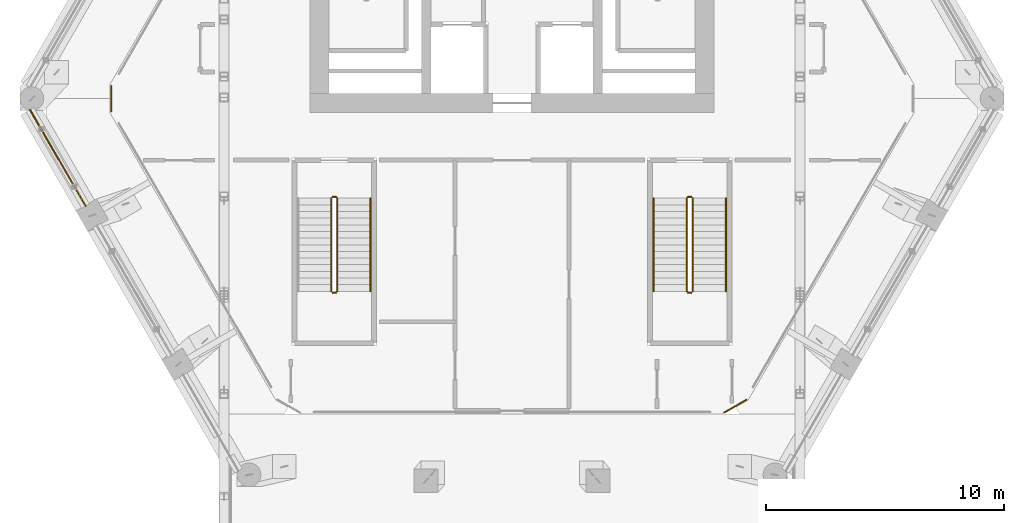
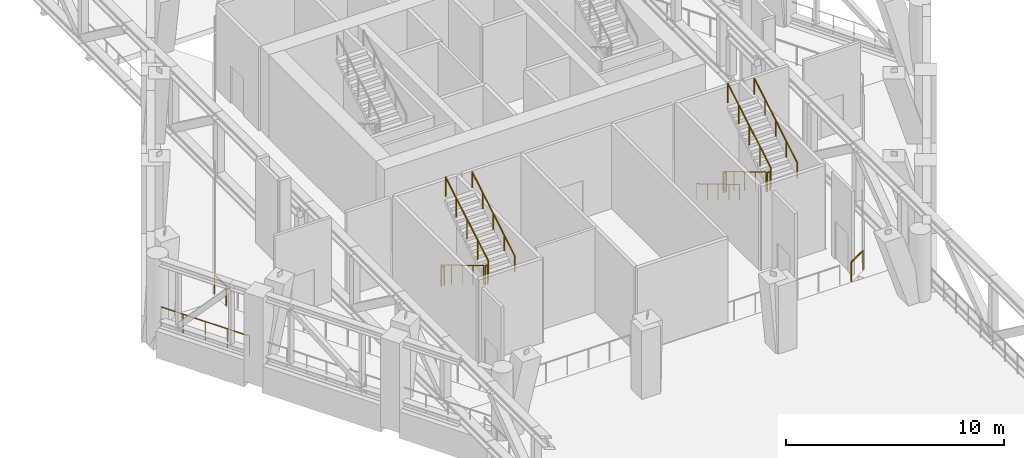
# One storey, part 19 of 22: 14 railings.
"""IFC4 building model written with IfcOpenShell, lengths in metres."""

from ifc_helpers import new_model, si_unit, direction, frame, origin, origin_2d, place, context, subcontext, project, spatial, circle, extrude, material, type_object, element, save


model = new_model("IFC4")

# Units and contexts
model_context = context("Model", 3, precision=1e-05, world=origin(), true_north=direction((0.0, 1.0)))
body_context = subcontext(model_context, "Body", "Model", "MODEL_VIEW")
ifc_project = project(units=[si_unit("LENGTHUNIT", "METRE"), si_unit("AREAUNIT", "SQUARE_METRE"), si_unit("VOLUMEUNIT", "CUBIC_METRE"), si_unit("PLANEANGLEUNIT", "RADIAN"), si_unit("MASSUNIT", "GRAM", prefix="KILO")], contexts=[model_context])

# Site, building, storey
site_placement = place(None, origin())
site = spatial("IfcSite", under=ifc_project, at=site_placement, CompositionType="ELEMENT")
building_placement = place(site_placement, origin())
building = spatial("IfcBuilding", under=site, at=building_placement, Name="Ostrander Bayou Hotel Tower", CompositionType="ELEMENT")
storey_placement = place(building_placement, frame((0.0, 0.0, 209.5)))
storey = spatial("IfcBuildingStorey", under=building, at=storey_placement, Name="L52", CompositionType="ELEMENT", Elevation=209.5)

# Railings
ifc_material_1 = material(Name="Stainless steel and clear glass", Category="steel")
railing_type_1 = type_object("IfcRailingType", Name="GR1 guard 1100 mm", PredefinedType="GUARDRAIL", material=ifc_material_1)
railing_1_placement = place(storey_placement, frame((-20.275146484375, -1.58251953125, 0.0)))
element("IfcRailing", 1, at=railing_1_placement, inside=storey, type_object=railing_type_1, Name="GR1 L52 SW-1 open band guard", PredefinedType="GUARDRAIL", context=body_context, shape_type="SweptSolid", body=[
    extrude(circle(Radius=0.02490234375, at=origin_2d()), frame((0.0, 0.0, 1.0751953125), z_axis=(0.500028081597, -0.86600919026, 0.0), x_axis=(0.86600919026, 0.500028081597, 0.0)), (0.0, 0.0, 1.0), 4.678955078125),
    extrude(circle(Radius=0.02001953125, at=origin_2d()), origin(), (0.0, 0.0, 1.0), 1.050048828125),
    extrude(circle(Radius=0.02001953125, at=origin_2d()), frame((0.5849609375, -1.012939453125, 0.0)), (0.0, 0.0, 1.0), 1.050048828125),
    extrude(circle(Radius=0.02001953125, at=origin_2d()), frame((1.169921875, -2.02587890625, 0.0)), (0.0, 0.0, 1.0), 1.050048828125),
    extrude(circle(Radius=0.02001953125, at=origin_2d()), frame((1.754638671875, -3.0390625, 0.0)), (0.0, 0.0, 1.0), 1.050048828125),
    extrude(circle(Radius=0.02001953125, at=origin_2d()), frame((2.339599609375, -4.052001953125, 0.0)), (0.0, 0.0, 1.0), 1.050048828125),
])
railing_2_placement = place(storey_placement, frame((-16.861328125, -0.580322265625, 0.0)))
element("IfcRailing", 2, at=railing_2_placement, inside=storey, type_object=railing_type_1, Name="GR1 L52 corner guard 2", PredefinedType="GUARDRAIL", context=body_context, shape_type="SweptSolid", body=[
    extrude(circle(Radius=0.02490234375, at=origin_2d()), frame((0.0, 0.0, 1.0751953125), z_axis=(0.0, -1.0, 0.0), x_axis=(1.0, 0.0, 0.0)), (0.0, 0.0, 1.0), 1.06494140625),
    extrude(circle(Radius=0.02001953125, at=origin_2d()), origin(), (0.0, 0.0, 1.0), 1.050048828125),
    extrude(circle(Radius=0.02001953125, at=origin_2d()), frame((0.0, -1.06494140625, 0.0)), (0.0, 0.0, 1.0), 1.050048828125),
])
railing_3_placement = place(storey_placement, frame((8.93310546875, -14.312255859375, 0.0)))
element("IfcRailing", 3, at=railing_3_placement, inside=storey, type_object=railing_type_1, Name="GR1 L52 corner guard 4", PredefinedType="GUARDRAIL", context=body_context, shape_type="SweptSolid", body=[
    extrude(circle(Radius=0.02490234375, at=origin_2d()), frame((0.0, 0.0, 1.0751953125), z_axis=(0.866105447774, 0.499861334108, 0.0), x_axis=(-0.499861334108, 0.866105447774, 0.0)), (0.0, 0.0, 1.0), 1.065185546875),
    extrude(circle(Radius=0.02001953125, at=origin_2d()), origin(), (0.0, 0.0, 1.0), 1.050048828125),
    extrude(circle(Radius=0.02001953125, at=origin_2d()), frame((0.922607421875, 0.532470703125, 0.0)), (0.0, 0.0, 1.0), 1.050048828125),
])
ifc_material_2 = material(Name="Steel ASTM A500 Gr C", Category="steel")
railing_type_2 = type_object("IfcRailingType", Name="GR1 stair guard 1100 mm steel", PredefinedType="GUARDRAIL", material=ifc_material_2)
railing_4_placement = place(storey_placement, frame((7.35009765625, -5.300048828125, 0.166748046875)))
element("IfcRailing", 4, at=railing_4_placement, inside=storey, type_object=railing_type_2, Name="L52 STC stair guard 1", PredefinedType="GUARDRAIL", context=body_context, shape_type="SweptSolid", body=[
    extrude(circle(Radius=0.02392578125, at=origin_2d()), frame((0.0, 0.0, 1.076171875), z_axis=(0.0, -0.859296244711, 0.511478214419), x_axis=(1.0, 0.0, 0.0)), (0.0, 0.0, 1.0), 4.561767578125),
    extrude(circle(Radius=0.02099609375, at=origin_2d()), origin(), (0.0, 0.0, 1.0), 1.052001953125),
    extrude(circle(Radius=0.02099609375, at=origin_2d()), frame((0.0, -0.97998046875, 0.583251953125)), (0.0, 0.0, 1.0), 1.052001953125),
    extrude(circle(Radius=0.02099609375, at=origin_2d()), frame((0.0, -1.9599609375, 1.16650390625)), (0.0, 0.0, 1.0), 1.052001953125),
    extrude(circle(Radius=0.02099609375, at=origin_2d()), frame((0.0, -2.93994140625, 1.75)), (0.0, 0.0, 1.0), 1.052001953125),
    extrude(circle(Radius=0.02099609375, at=origin_2d()), frame((0.0, -3.919921875, 2.333251953125)), (0.0, 0.0, 1.0), 1.052001953125),
])
railing_5_placement = place(storey_placement, frame((7.39990234375, -9.27001953125, 2.5)))
element("IfcRailing", 5, at=railing_5_placement, inside=storey, type_object=railing_type_2, Name="L52 STC stair guard 2", PredefinedType="GUARDRAIL", context=body_context, shape_type="SweptSolid", body=[
    extrude(circle(Radius=0.02392578125, at=origin_2d()), frame((0.0, 0.0, 1.076171875), z_axis=(1.0, 0.0, 0.0), x_axis=(0.0, 1.0, 0.0)), (0.0, 0.0, 1.0), 0.150146484375),
    extrude(circle(Radius=0.02099609375, at=origin_2d()), origin(), (0.0, 0.0, 1.0), 1.052001953125),
    extrude(circle(Radius=0.02099609375, at=origin_2d()), frame((0.150146484375, 0.0, 0.0)), (0.0, 0.0, 1.0), 1.052001953125),
])
railing_6_placement = place(storey_placement, frame((7.60009765625, -9.219970703125, 2.666748046875)))
element("IfcRailing", 6, at=railing_6_placement, inside=storey, type_object=railing_type_2, Name="L52 STC stair guard 3", PredefinedType="GUARDRAIL", context=body_context, shape_type="SweptSolid", body=[
    extrude(circle(Radius=0.02392578125, at=origin_2d()), frame((0.0, 0.0, 1.076171875), z_axis=(0.0, 0.859296244711, 0.511478214419), x_axis=(-1.0, 0.0, 0.0)), (0.0, 0.0, 1.0), 4.561767578125),
    extrude(circle(Radius=0.02099609375, at=origin_2d()), origin(), (0.0, 0.0, 1.0), 1.052001953125),
    extrude(circle(Radius=0.02099609375, at=origin_2d()), frame((0.0, 0.97998046875, 0.583251953125)), (0.0, 0.0, 1.0), 1.052001953125),
    extrude(circle(Radius=0.02099609375, at=origin_2d()), frame((0.0, 1.9599609375, 1.16650390625)), (0.0, 0.0, 1.0), 1.052001953125),
    extrude(circle(Radius=0.02099609375, at=origin_2d()), frame((0.0, 2.93994140625, 1.75)), (0.0, 0.0, 1.0), 1.052001953125),
    extrude(circle(Radius=0.02099609375, at=origin_2d()), frame((0.0, 3.919921875, 2.333251953125)), (0.0, 0.0, 1.0), 1.052001953125),
])
railing_7_placement = place(storey_placement, frame((7.39990234375, -5.25, 0.0)))
element("IfcRailing", 7, at=railing_7_placement, inside=storey, type_object=railing_type_2, Name="L52 STC stair guard 4", PredefinedType="GUARDRAIL", context=body_context, shape_type="SweptSolid", body=[
    extrude(circle(Radius=0.02392578125, at=origin_2d()), frame((0.0, 0.0, 1.076171875), z_axis=(1.0, 0.0, 0.0), x_axis=(0.0, 1.0, 0.0)), (0.0, 0.0, 1.0), 0.150146484375),
    extrude(circle(Radius=0.02099609375, at=origin_2d()), origin(), (0.0, 0.0, 1.0), 1.052001953125),
    extrude(circle(Radius=0.02099609375, at=origin_2d()), frame((0.150146484375, 0.0, 0.0)), (0.0, 0.0, 1.0), 1.052001953125),
])
railing_8_placement = place(storey_placement, frame((-7.60009765625, -5.300048828125, 0.166748046875)))
element("IfcRailing", 8, at=railing_8_placement, inside=storey, type_object=railing_type_2, Name="L52 STD stair guard 1", PredefinedType="GUARDRAIL", context=body_context, shape_type="SweptSolid", body=[
    extrude(circle(Radius=0.02392578125, at=origin_2d()), frame((0.0, 0.0, 1.076171875), z_axis=(0.0, -0.859296244711, 0.511478214419), x_axis=(1.0, 0.0, 0.0)), (0.0, 0.0, 1.0), 4.561767578125),
    extrude(circle(Radius=0.02099609375, at=origin_2d()), origin(), (0.0, 0.0, 1.0), 1.052001953125),
    extrude(circle(Radius=0.02099609375, at=origin_2d()), frame((0.0, -0.97998046875, 0.583251953125)), (0.0, 0.0, 1.0), 1.052001953125),
    extrude(circle(Radius=0.02099609375, at=origin_2d()), frame((0.0, -1.9599609375, 1.16650390625)), (0.0, 0.0, 1.0), 1.052001953125),
    extrude(circle(Radius=0.02099609375, at=origin_2d()), frame((0.0, -2.93994140625, 1.75)), (0.0, 0.0, 1.0), 1.052001953125),
    extrude(circle(Radius=0.02099609375, at=origin_2d()), frame((0.0, -3.919921875, 2.333251953125)), (0.0, 0.0, 1.0), 1.052001953125),
])
railing_9_placement = place(storey_placement, frame((-7.550048828125, -9.27001953125, 2.5)))
element("IfcRailing", 9, at=railing_9_placement, inside=storey, type_object=railing_type_2, Name="L52 STD stair guard 2", PredefinedType="GUARDRAIL", context=body_context, shape_type="SweptSolid", body=[
    extrude(circle(Radius=0.02392578125, at=origin_2d()), frame((0.0, 0.0, 1.076171875), z_axis=(1.0, 0.0, 0.0), x_axis=(0.0, 1.0, 0.0)), (0.0, 0.0, 1.0), 0.150146484375),
    extrude(circle(Radius=0.02099609375, at=origin_2d()), origin(), (0.0, 0.0, 1.0), 1.052001953125),
    extrude(circle(Radius=0.02099609375, at=origin_2d()), frame((0.150146484375, 0.0, 0.0)), (0.0, 0.0, 1.0), 1.052001953125),
])
railing_10_placement = place(storey_placement, frame((-7.35009765625, -9.219970703125, 2.666748046875)))
element("IfcRailing", 10, at=railing_10_placement, inside=storey, type_object=railing_type_2, Name="L52 STD stair guard 3", PredefinedType="GUARDRAIL", context=body_context, shape_type="SweptSolid", body=[
    extrude(circle(Radius=0.02392578125, at=origin_2d()), frame((0.0, 0.0, 1.076171875), z_axis=(0.0, 0.859296244711, 0.511478214419), x_axis=(-1.0, 0.0, 0.0)), (0.0, 0.0, 1.0), 4.561767578125),
    extrude(circle(Radius=0.02099609375, at=origin_2d()), origin(), (0.0, 0.0, 1.0), 1.052001953125),
    extrude(circle(Radius=0.02099609375, at=origin_2d()), frame((0.0, 0.97998046875, 0.583251953125)), (0.0, 0.0, 1.0), 1.052001953125),
    extrude(circle(Radius=0.02099609375, at=origin_2d()), frame((0.0, 1.9599609375, 1.16650390625)), (0.0, 0.0, 1.0), 1.052001953125),
    extrude(circle(Radius=0.02099609375, at=origin_2d()), frame((0.0, 2.93994140625, 1.75)), (0.0, 0.0, 1.0), 1.052001953125),
    extrude(circle(Radius=0.02099609375, at=origin_2d()), frame((0.0, 3.919921875, 2.333251953125)), (0.0, 0.0, 1.0), 1.052001953125),
])
railing_11_placement = place(storey_placement, frame((-7.550048828125, -5.25, 0.0)))
element("IfcRailing", 11, at=railing_11_placement, inside=storey, type_object=railing_type_2, Name="L52 STD stair guard 4", PredefinedType="GUARDRAIL", context=body_context, shape_type="SweptSolid", body=[
    extrude(circle(Radius=0.02392578125, at=origin_2d()), frame((0.0, 0.0, 1.076171875), z_axis=(1.0, 0.0, 0.0), x_axis=(0.0, 1.0, 0.0)), (0.0, 0.0, 1.0), 0.150146484375),
    extrude(circle(Radius=0.02099609375, at=origin_2d()), origin(), (0.0, 0.0, 1.0), 1.052001953125),
    extrude(circle(Radius=0.02099609375, at=origin_2d()), frame((0.150146484375, 0.0, 0.0)), (0.0, 0.0, 1.0), 1.052001953125),
])
ifc_material_3 = material(Name="Steel ASTM A500 Gr C", Category="steel")
railing_type_3 = type_object("IfcRailingType", Name="HR1 stair handrail 900 mm steel", PredefinedType="HANDRAIL", material=ifc_material_3)
railing_12_placement = place(storey_placement, frame((5.949951171875, -5.300048828125, 0.166748046875)))
element("IfcRailing", 12, at=railing_12_placement, inside=storey, type_object=railing_type_3, Name="L52 STC stair handrail 1", PredefinedType="HANDRAIL", context=body_context, shape_type="SweptSolid", body=[
    extrude(circle(Radius=0.02392578125, at=origin_2d()), frame((0.0, 0.0, 0.8759765625), z_axis=(0.0, -0.859296244711, 0.511478214419), x_axis=(1.0, 0.0, 0.0)), (0.0, 0.0, 1.0), 4.561767578125),
    extrude(circle(Radius=0.02099609375, at=origin_2d()), origin(), (0.0, 0.0, 1.0), 0.851806640625),
    extrude(circle(Radius=0.02099609375, at=origin_2d()), frame((0.0, -0.97998046875, 0.583251953125)), (0.0, 0.0, 1.0), 0.851806640625),
    extrude(circle(Radius=0.02099609375, at=origin_2d()), frame((0.0, -1.9599609375, 1.16650390625)), (0.0, 0.0, 1.0), 0.851806640625),
    extrude(circle(Radius=0.02099609375, at=origin_2d()), frame((0.0, -2.93994140625, 1.75)), (0.0, 0.0, 1.0), 0.851806640625),
    extrude(circle(Radius=0.02099609375, at=origin_2d()), frame((0.0, -3.919921875, 2.333251953125)), (0.0, 0.0, 1.0), 0.851806640625),
])
for number, where, name in (
    (13, (9.0, -9.219970703125, 2.666748046875), "L52 STC stair handrail 2"),
    (14, (-5.949951171875, -9.219970703125, 2.666748046875), "L52 STD stair handrail 2"),
):
    element("IfcRailing", number, at=place(storey_placement, frame(where)), inside=storey, type_object=railing_type_3, Name=name, PredefinedType="HANDRAIL", context=body_context, shape_type="SweptSolid", body=[
        extrude(circle(Radius=0.02392578125, at=origin_2d()), frame((0.0, 0.0, 0.8759765625), z_axis=(0.0, 0.859296244711, 0.511478214419), x_axis=(-1.0, 0.0, 0.0)), (0.0, 0.0, 1.0), 4.561767578125),
        extrude(circle(Radius=0.02099609375, at=origin_2d()), origin(), (0.0, 0.0, 1.0), 0.851806640625),
        extrude(circle(Radius=0.02099609375, at=origin_2d()), frame((0.0, 0.97998046875, 0.583251953125)), (0.0, 0.0, 1.0), 0.851806640625),
        extrude(circle(Radius=0.02099609375, at=origin_2d()), frame((0.0, 1.9599609375, 1.16650390625)), (0.0, 0.0, 1.0), 0.851806640625),
        extrude(circle(Radius=0.02099609375, at=origin_2d()), frame((0.0, 2.93994140625, 1.75)), (0.0, 0.0, 1.0), 0.851806640625),
        extrude(circle(Radius=0.02099609375, at=origin_2d()), frame((0.0, 3.919921875, 2.333251953125)), (0.0, 0.0, 1.0), 0.851806640625),
    ])

save(model, "model.ifc")
